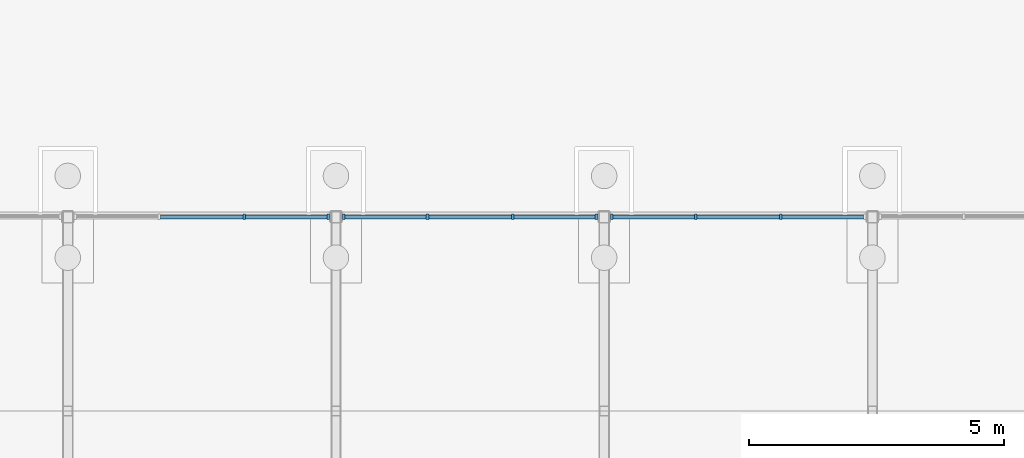
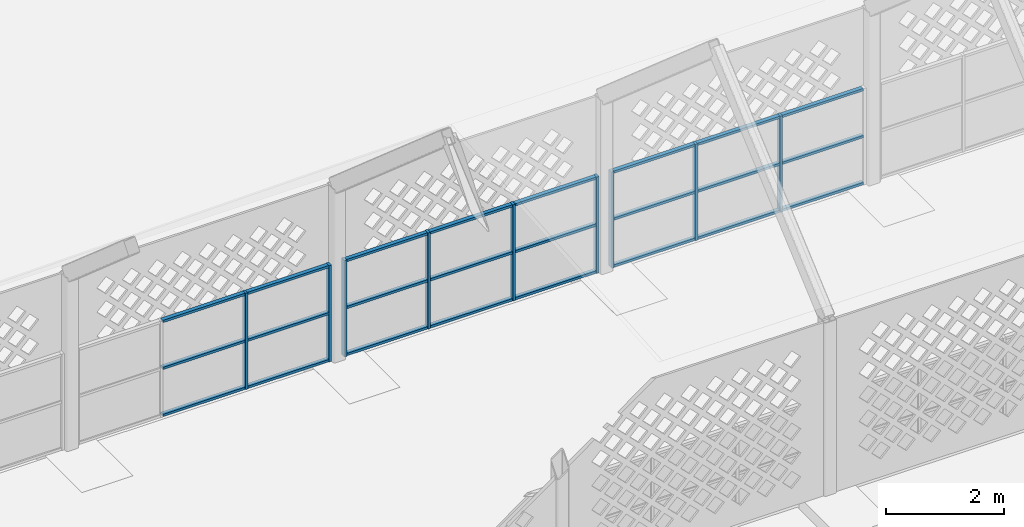
# One storey, part 27 of 79: 33 members, 3 elements without a shape of their own.
"""IFC4 building model written with IfcOpenShell, lengths in metres."""

import ifcopenshell
import ifcopenshell.guid

model = None  # the IFC model being written
_history = None  # IfcOwnerHistory: only IFC2X3 demands one
_inside = {}  # id of a spatial element -> (the spatial element, [elements in it])
_under = {}  # id of a project, library or spatial element -> (it, [spatial elements below it])
_declared = {}  # id of a project -> (the project, [libraries it declares])
_typed = {}  # id of a type object -> (the type object, [elements of that type])
_made_of = {}  # id of a material, layer set ... -> (it, [elements and type objects made of it])


def new_model(schema):
    """Start an empty IFC model of exactly this schema.

    Asked for "IFC4X3", IfcOpenShell would pick the latest addendum, in which some entities
    have other attributes; the version numbers below select the first issue.
    IFC2X3 requires an IfcOwnerHistory on every rooted entity: one is made here for all.
    """
    global model, _history
    if schema == "IFC4X3":
        model = ifcopenshell.file(schema_version=(4, 3, 0, 0))
    else:
        model = ifcopenshell.file(schema=schema)
    _inside.clear()
    _under.clear()
    _declared.clear()
    _typed.clear()
    _made_of.clear()
    _history = None
    if model.schema == "IFC2X3":
        org = make("IfcOrganization", Name="unknown")
        user = make(
            "IfcPersonAndOrganization",
            ThePerson=make("IfcPerson", FamilyName="unknown"),
            TheOrganization=org,
        )
        app = make(
            "IfcApplication",
            ApplicationDeveloper=org,
            Version="unknown",
            ApplicationFullName="unknown",
            ApplicationIdentifier="unknown",
        )
        _history = make(
            "IfcOwnerHistory",
            OwningUser=user,
            OwningApplication=app,
            ChangeAction="ADDED",
            CreationDate=0,
        )
    return model


def make(cls, **values):
    """One entity of the class cls with the attributes given. An attribute that is None is left unset."""
    return model.create_entity(
        cls, **{name: value for name, value in values.items() if value is not None}
    )


def rooted(cls, **values):
    """An entity with a GlobalId (a new one), such as an element, a storey or a relation."""
    return make(cls, GlobalId=ifcopenshell.guid.new(), OwnerHistory=_history, **values)


def si_unit(unit_type, name, prefix=None):
    """IfcSIUnit, for example si_unit("LENGTHUNIT", "METRE", prefix="MILLI")."""
    return make("IfcSIUnit", UnitType=unit_type, Prefix=prefix, Name=name)


def assignment(units):
    """IfcUnitAssignment: the units of a project."""
    return None if units is None else make("IfcUnitAssignment", Units=units)


def point(xyz):
    """IfcCartesianPoint."""
    return None if xyz is None else make("IfcCartesianPoint", Coordinates=xyz)


def direction(xyz):
    """IfcDirection."""
    return None if xyz is None else make("IfcDirection", DirectionRatios=xyz)


def frame(location, z_axis=None, x_axis=None):
    """IfcAxis2Placement3D, a coordinate frame: its origin and axes. An axis left out is left unset."""
    return make(
        "IfcAxis2Placement3D",
        Location=point(location),
        Axis=direction(z_axis),
        RefDirection=direction(x_axis),
    )


def frame_2d(location, x_axis=None):
    """IfcAxis2Placement2D, a coordinate frame in the plane: its origin and x axis."""
    return make(
        "IfcAxis2Placement2D", Location=point(location), RefDirection=direction(x_axis)
    )


def origin():
    """The frame at (0, 0, 0) with its axes left unset."""
    return frame((0.0, 0.0, 0.0))


def origin_2d():
    """The frame at (0, 0) in the plane with its x axis left unset."""
    return frame_2d((0.0, 0.0))


def place(relative_to, where):
    """IfcLocalPlacement: puts the frame where relative to a parent placement (None: the world)."""
    return make(
        "IfcLocalPlacement", PlacementRelTo=relative_to, RelativePlacement=where
    )


def context(
    kind, dimensions, precision=None, world=None, true_north=None, identifier=None
):
    """IfcGeometricRepresentationContext, for example the 3D "Model" context."""
    return make(
        "IfcGeometricRepresentationContext",
        ContextIdentifier=identifier,
        ContextType=kind,
        CoordinateSpaceDimension=dimensions,
        Precision=precision,
        WorldCoordinateSystem=world,
        TrueNorth=true_north,
    )


def subcontext(parent, identifier, kind, view, scale=None):
    """IfcGeometricRepresentationSubContext, for example "Body" below "Model"."""
    return make(
        "IfcGeometricRepresentationSubContext",
        ContextIdentifier=identifier,
        ContextType=kind,
        ParentContext=parent,
        TargetScale=scale,
        TargetView=view,
    )


def project(units=None, contexts=None):
    """IfcProject with its units and contexts."""
    return rooted(
        "IfcProject",
        Name="project",
        RepresentationContexts=contexts,
        UnitsInContext=assignment(units),
    )


def spatial(cls, under=None, at=None, **own):
    """A site, building, storey or space (cls), placed at a placement, below another one or the project."""
    s = rooted(cls, ObjectPlacement=at, **own)
    if under is not None:
        _under.setdefault(under.id(), (under, []))[1].append(s)
    return s


def profile(cls, at=None, kind="AREA", **sizes):
    """A parametric profile (cls). Its sizes go by their IFC names, for example OverallWidth=200.0."""
    return make(cls, ProfileType=kind, Position=at, **sizes)


def rectangle(**sizes):
    """IfcRectangleProfileDef."""
    return profile("IfcRectangleProfileDef", **sizes)


def extrude(swept, where, along, depth):
    """IfcExtrudedAreaSolid: the profile swept, set in the frame where, extruded along a direction by depth."""
    return make(
        "IfcExtrudedAreaSolid",
        SweptArea=swept,
        Position=where,
        ExtrudedDirection=direction(along),
        Depth=depth,
    )


def shape(context_of_items, identifier, shape_type, items):
    """IfcShapeRepresentation: the items that make up one representation, for example the "Body"."""
    return make(
        "IfcShapeRepresentation",
        ContextOfItems=context_of_items,
        RepresentationIdentifier=identifier,
        RepresentationType=shape_type,
        Items=items,
    )


def material(Name=None, Category=None):
    """IfcMaterial."""
    return make("IfcMaterial", Name=Name, Category=Category)


def layer(
    of_material, thickness, ventilated=None, Name=None, Category=None, Priority=None
):
    """IfcMaterialLayer: one layer of a wall or slab, of a material (None: an air gap)."""
    return make(
        "IfcMaterialLayer",
        Material=of_material,
        LayerThickness=thickness,
        IsVentilated=ventilated,
        Name=Name,
        Category=Category,
        Priority=Priority,
    )


def layer_set(layers, Name=None):
    """IfcMaterialLayerSet."""
    return make("IfcMaterialLayerSet", MaterialLayers=layers, LayerSetName=Name)


def material_profile(
    of_material, cross_section, Name=None, Category=None, Priority=None
):
    """IfcMaterialProfile: a cross section and its material."""
    return make(
        "IfcMaterialProfile",
        Name=Name,
        Material=of_material,
        Profile=cross_section,
        Priority=Priority,
        Category=Category,
    )


def profile_set(profiles, Name=None, composite=None):
    """IfcMaterialProfileSet."""
    return make(
        "IfcMaterialProfileSet",
        Name=Name,
        MaterialProfiles=profiles,
        CompositeProfile=composite,
    )


def made_of(thing, what):
    """Note that an element or type object is made of a material, layer set ...; save() writes the relation."""
    if what is not None:
        _made_of.setdefault(what.id(), (what, []))[1].append(thing)
    return thing


def type_object(cls, material=None, **own):
    """A type object (cls), such as IfcWallType, which elements share."""
    return made_of(rooted(cls, **own), material)


def element(
    cls,
    number,
    at=None,
    inside=None,
    cuts=None,
    type_object=None,
    material=None,
    context=None,
    identifier="Body",
    shape_type=None,
    held_by="IfcProductDefinitionShape",
    body=None,
    shapes=None,
    **own,
):
    """One element of the class cls, such as IfcWall. Its Tag is "e" and its number.

    at: its placement. inside: the storey or other place that contains it. cuts: it is an
    opening in that element (IfcRelVoidsElement). A single representation is given by context,
    identifier, shape_type and body (its items); several are given by shapes. held_by: the class
    of the entity that holds the representations. save() writes the other relations.
    """
    e = rooted(cls, Tag="e%d" % number, ObjectPlacement=at, **own)
    if body is not None:
        shapes = [shape(context, identifier, shape_type, body)]
    if shapes is not None:
        e.Representation = make(held_by, Representations=shapes)
    if inside is not None:
        _inside.setdefault(inside.id(), (inside, []))[1].append(e)
    if cuts is not None:
        rooted(
            "IfcRelVoidsElement", RelatingBuildingElement=cuts, RelatedOpeningElement=e
        )
    if type_object is not None:
        _typed.setdefault(type_object.id(), (type_object, []))[1].append(e)
    return made_of(e, material)


def aggregate(whole, parts):
    """IfcRelAggregates: a whole, such as a stair, and the parts it consists of."""
    return rooted("IfcRelAggregates", RelatingObject=whole, RelatedObjects=parts)


def save(model, path):
    """Write the relations noted so far, then the file.

    IfcRelAggregates (storeys below a building ...), IfcRelContainedInSpatialStructure (elements
    in a storey), IfcRelDefinesByType, IfcRelAssociatesMaterial and IfcRelDeclares: one each for
    every whole, place, type object, material and project.
    """
    for whole, parts in _under.values():
        aggregate(whole, parts)
    for where, things in _inside.values():
        rooted(
            "IfcRelContainedInSpatialStructure",
            RelatedElements=things,
            RelatingStructure=where,
        )
    for kind, things in _typed.values():
        rooted("IfcRelDefinesByType", RelatedObjects=things, RelatingType=kind)
    for what, things in _made_of.values():
        rooted("IfcRelAssociatesMaterial", RelatedObjects=things, RelatingMaterial=what)
    for by, libraries in _declared.values():
        rooted("IfcRelDeclares", RelatingContext=by, RelatedDefinitions=libraries)
    model.write(path)


model = new_model("IFC4")

# Units and contexts
model_context = context("Model", 3, precision=1e-05, world=origin(), true_north=direction((0.0, 1.0)))
body_context = subcontext(model_context, "Body", "Model", "MODEL_VIEW")
ifc_project = project(units=[si_unit("LENGTHUNIT", "METRE"), si_unit("AREAUNIT", "SQUARE_METRE"), si_unit("VOLUMEUNIT", "CUBIC_METRE"), si_unit("PLANEANGLEUNIT", "RADIAN"), si_unit("MASSUNIT", "GRAM", prefix="KILO")], contexts=[model_context])

# Site, building, storey
site_placement = place(None, origin())
site = spatial("IfcSite", under=ifc_project, at=site_placement, CompositionType="ELEMENT")
building_placement = place(site_placement, origin())
building = spatial("IfcBuilding", under=site, at=building_placement, Name="Noorbagh Ring Tower", CompositionType="ELEMENT")
storey_placement = place(building_placement, origin())
storey = spatial("IfcBuildingStorey", under=building, at=storey_placement, Name="L00", CompositionType="ELEMENT", Elevation=0.0)

# Curtain wall, members
ifc_material_1 = material(Name="Aluminium and glass", Category="aluminium")
ifc_layer = layer(ifc_material_1, 0.10009765625)
ifc_layer_set = layer_set([ifc_layer], Name="Aluminium and glass")
curtain_wall_type = type_object("IfcCurtainWallType", Name="AR-CW", PredefinedType="NOTDEFINED", material=ifc_layer_set)
curtain_wall_1_placement = place(storey_placement, origin())
curtain_wall_1 = element("IfcCurtainWall", 1, at=curtain_wall_1_placement, inside=storey, type_object=curtain_wall_type, Name="Arcade glazing", PredefinedType="NOTDEFINED")
ifc_material_2 = material(Name="Aluminium", Category="aluminium")
ifc_material_profile_1 = material_profile(ifc_material_2, rectangle(XDim=0.10009765625, YDim=0.050048828125, at=origin_2d()), Name="AL 100x50")
ifc_profile_set_1 = profile_set([ifc_material_profile_1], Name="Aluminium")
member_type_1 = type_object("IfcMemberType", Name="AR-CW-MULLION", PredefinedType="MULLION", material=ifc_profile_set_1)
member_1_placement = place(storey_placement, frame((-75.291748046875, 8.800048828125, 0.0), z_axis=(0.0, 0.0, 1.0), x_axis=(0.0, 1.0, 0.0)))
member_1 = element("IfcMember", 2, at=member_1_placement, type_object=member_type_1, Name="CW-A mullion 3", PredefinedType="MULLION", context=body_context, shape_type="SweptSolid", body=[
    extrude(rectangle(XDim=0.10009765625, YDim=0.050048828125, at=origin_2d()), origin(), (0.0, 0.0, 1.0), 2.0),
])
member_2_placement = place(storey_placement, frame((-73.64990234375, 8.800048828125, 0.0), z_axis=(0.0, 0.0, 1.0), x_axis=(0.0, 1.0, 0.0)))
member_2 = element("IfcMember", 3, at=member_2_placement, type_object=member_type_1, Name="CW-A mullion 4", PredefinedType="MULLION", context=body_context, shape_type="SweptSolid", body=[
    extrude(rectangle(XDim=0.10009765625, YDim=0.050048828125, at=origin_2d()), origin(), (0.0, 0.0, 1.0), 2.0),
])

curtain_wall_2_placement = place(storey_placement, origin())
curtain_wall_2 = element("IfcCurtainWall", 4, at=curtain_wall_2_placement, inside=storey, type_object=curtain_wall_type, Name="Arcade glazing", PredefinedType="NOTDEFINED")
member_3_placement = place(storey_placement, frame((-73.35009765625, 8.800048828125, 0.0), z_axis=(0.0, 0.0, 1.0), x_axis=(0.0, 1.0, 0.0)))
member_3 = element("IfcMember", 5, at=member_3_placement, type_object=member_type_1, Name="CW-A mullion 1", PredefinedType="MULLION", context=body_context, shape_type="SweptSolid", body=[
    extrude(rectangle(XDim=0.10009765625, YDim=0.050048828125, at=origin_2d()), origin(), (0.0, 0.0, 1.0), 2.0),
])
member_4_placement = place(storey_placement, frame((-71.708251953125, 8.800048828125, 0.0), z_axis=(0.0, 0.0, 1.0), x_axis=(0.0, 1.0, 0.0)))
member_4 = element("IfcMember", 6, at=member_4_placement, type_object=member_type_1, Name="CW-A mullion 2", PredefinedType="MULLION", context=body_context, shape_type="SweptSolid", body=[
    extrude(rectangle(XDim=0.10009765625, YDim=0.050048828125, at=origin_2d()), origin(), (0.0, 0.0, 1.0), 2.0),
])
member_5_placement = place(storey_placement, frame((-70.041748046875, 8.800048828125, 0.0), z_axis=(0.0, 0.0, 1.0), x_axis=(0.0, 1.0, 0.0)))
member_5 = element("IfcMember", 7, at=member_5_placement, type_object=member_type_1, Name="CW-A mullion 3", PredefinedType="MULLION", context=body_context, shape_type="SweptSolid", body=[
    extrude(rectangle(XDim=0.10009765625, YDim=0.050048828125, at=origin_2d()), origin(), (0.0, 0.0, 1.0), 2.0),
])
member_6_placement = place(storey_placement, frame((-68.39990234375, 8.800048828125, 0.0), z_axis=(0.0, 0.0, 1.0), x_axis=(0.0, 1.0, 0.0)))
member_6 = element("IfcMember", 8, at=member_6_placement, type_object=member_type_1, Name="CW-A mullion 4", PredefinedType="MULLION", context=body_context, shape_type="SweptSolid", body=[
    extrude(rectangle(XDim=0.10009765625, YDim=0.050048828125, at=origin_2d()), origin(), (0.0, 0.0, 1.0), 2.0),
])

curtain_wall_3_placement = place(storey_placement, origin())
curtain_wall_3 = element("IfcCurtainWall", 9, at=curtain_wall_3_placement, inside=storey, type_object=curtain_wall_type, Name="Arcade glazing", PredefinedType="NOTDEFINED")
member_7_placement = place(storey_placement, frame((-68.10009765625, 8.800048828125, 0.0), z_axis=(0.0, 0.0, 1.0), x_axis=(0.0, 1.0, 0.0)))
member_7 = element("IfcMember", 10, at=member_7_placement, type_object=member_type_1, Name="CW-A mullion 1", PredefinedType="MULLION", context=body_context, shape_type="SweptSolid", body=[
    extrude(rectangle(XDim=0.10009765625, YDim=0.050048828125, at=origin_2d()), origin(), (0.0, 0.0, 1.0), 2.0),
])
member_8_placement = place(storey_placement, frame((-66.458251953125, 8.800048828125, 0.0), z_axis=(0.0, 0.0, 1.0), x_axis=(0.0, 1.0, 0.0)))
member_8 = element("IfcMember", 11, at=member_8_placement, type_object=member_type_1, Name="CW-A mullion 2", PredefinedType="MULLION", context=body_context, shape_type="SweptSolid", body=[
    extrude(rectangle(XDim=0.10009765625, YDim=0.050048828125, at=origin_2d()), origin(), (0.0, 0.0, 1.0), 2.0),
])
member_9_placement = place(storey_placement, frame((-64.791748046875, 8.800048828125, 0.0), z_axis=(0.0, 0.0, 1.0), x_axis=(0.0, 1.0, 0.0)))
member_9 = element("IfcMember", 12, at=member_9_placement, type_object=member_type_1, Name="CW-A mullion 3", PredefinedType="MULLION", context=body_context, shape_type="SweptSolid", body=[
    extrude(rectangle(XDim=0.10009765625, YDim=0.050048828125, at=origin_2d()), origin(), (0.0, 0.0, 1.0), 2.0),
])

# Member
ifc_material_3 = material(Name="Aluminium", Category="aluminium")
ifc_material_profile_2 = material_profile(ifc_material_3, rectangle(XDim=0.080078125, YDim=0.050048828125, at=origin_2d()), Name="AL 80x50")
ifc_profile_set_2 = profile_set([ifc_material_profile_2], Name="Aluminium")
member_type_2 = type_object("IfcMemberType", Name="AR-CW-TRANSOM", PredefinedType="USERDEFINED", material=ifc_profile_set_2)
member_10_placement = place(storey_placement, frame((-76.933349609375, 8.800048828125, 0.02490234375), z_axis=(1.0, 0.0, 0.0), x_axis=(0.0, 1.0, 0.0)))
member_10 = element("IfcMember", 13, at=member_10_placement, type_object=member_type_2, Name="CW-A transom 2.1", ObjectType="TRANSOM", PredefinedType="USERDEFINED", context=body_context, shape_type="SweptSolid", body=[
    extrude(rectangle(XDim=0.080078125, YDim=0.050048828125, at=origin_2d()), origin(), (0.0, 0.0, 1.0), 1.61669921875),
])

member_11_placement = place(storey_placement, frame((-76.933349609375, 8.800048828125, 1.0), z_axis=(1.0, 0.0, 0.0), x_axis=(0.0, 1.0, 0.0)))
member_11 = element("IfcMember", 14, at=member_11_placement, type_object=member_type_2, Name="CW-A transom 2.2", ObjectType="TRANSOM", PredefinedType="USERDEFINED", context=body_context, shape_type="SweptSolid", body=[
    extrude(rectangle(XDim=0.080078125, YDim=0.050048828125, at=origin_2d()), origin(), (0.0, 0.0, 1.0), 1.61669921875),
])

member_12_placement = place(storey_placement, frame((-76.933349609375, 8.800048828125, 1.97509765625), z_axis=(1.0, 0.0, 0.0), x_axis=(0.0, 1.0, 0.0)))
member_12 = element("IfcMember", 15, at=member_12_placement, type_object=member_type_2, Name="CW-A transom 2.3", ObjectType="TRANSOM", PredefinedType="USERDEFINED", context=body_context, shape_type="SweptSolid", body=[
    extrude(rectangle(XDim=0.080078125, YDim=0.050048828125, at=origin_2d()), origin(), (0.0, 0.0, 1.0), 1.61669921875),
])

member_13_placement = place(storey_placement, frame((-75.2666015625, 8.800048828125, 0.02490234375), z_axis=(1.0, 0.0, 0.0), x_axis=(0.0, 1.0, 0.0)))
member_13 = element("IfcMember", 16, at=member_13_placement, type_object=member_type_2, Name="CW-A transom 3.1", ObjectType="TRANSOM", PredefinedType="USERDEFINED", context=body_context, shape_type="SweptSolid", body=[
    extrude(rectangle(XDim=0.080078125, YDim=0.050048828125, at=origin_2d()), origin(), (0.0, 0.0, 1.0), 1.591552734375),
])

member_14_placement = place(storey_placement, frame((-75.2666015625, 8.800048828125, 1.0), z_axis=(1.0, 0.0, 0.0), x_axis=(0.0, 1.0, 0.0)))
member_14 = element("IfcMember", 17, at=member_14_placement, type_object=member_type_2, Name="CW-A transom 3.2", ObjectType="TRANSOM", PredefinedType="USERDEFINED", context=body_context, shape_type="SweptSolid", body=[
    extrude(rectangle(XDim=0.080078125, YDim=0.050048828125, at=origin_2d()), origin(), (0.0, 0.0, 1.0), 1.591552734375),
])

member_15_placement = place(storey_placement, frame((-75.2666015625, 8.800048828125, 1.97509765625), z_axis=(1.0, 0.0, 0.0), x_axis=(0.0, 1.0, 0.0)))
member_15 = element("IfcMember", 18, at=member_15_placement, type_object=member_type_2, Name="CW-A transom 3.3", ObjectType="TRANSOM", PredefinedType="USERDEFINED", context=body_context, shape_type="SweptSolid", body=[
    extrude(rectangle(XDim=0.080078125, YDim=0.050048828125, at=origin_2d()), origin(), (0.0, 0.0, 1.0), 1.591552734375),
])

aggregate(curtain_wall_1, [member_1, member_2, member_10, member_11, member_12, member_13, member_14, member_15])

member_16_placement = place(storey_placement, frame((-73.324951171875, 8.800048828125, 0.02490234375), z_axis=(1.0, 0.0, 0.0), x_axis=(0.0, 1.0, 0.0)))
member_16 = element("IfcMember", 19, at=member_16_placement, type_object=member_type_2, Name="CW-A transom 1.1", ObjectType="TRANSOM", PredefinedType="USERDEFINED", context=body_context, shape_type="SweptSolid", body=[
    extrude(rectangle(XDim=0.080078125, YDim=0.050048828125, at=origin_2d()), origin(), (0.0, 0.0, 1.0), 1.591552734375),
])

member_17_placement = place(storey_placement, frame((-73.324951171875, 8.800048828125, 1.0), z_axis=(1.0, 0.0, 0.0), x_axis=(0.0, 1.0, 0.0)))
member_17 = element("IfcMember", 20, at=member_17_placement, type_object=member_type_2, Name="CW-A transom 1.2", ObjectType="TRANSOM", PredefinedType="USERDEFINED", context=body_context, shape_type="SweptSolid", body=[
    extrude(rectangle(XDim=0.080078125, YDim=0.050048828125, at=origin_2d()), origin(), (0.0, 0.0, 1.0), 1.591552734375),
])

member_18_placement = place(storey_placement, frame((-73.324951171875, 8.800048828125, 1.97509765625), z_axis=(1.0, 0.0, 0.0), x_axis=(0.0, 1.0, 0.0)))
member_18 = element("IfcMember", 21, at=member_18_placement, type_object=member_type_2, Name="CW-A transom 1.3", ObjectType="TRANSOM", PredefinedType="USERDEFINED", context=body_context, shape_type="SweptSolid", body=[
    extrude(rectangle(XDim=0.080078125, YDim=0.050048828125, at=origin_2d()), origin(), (0.0, 0.0, 1.0), 1.591552734375),
])

member_19_placement = place(storey_placement, frame((-71.683349609375, 8.800048828125, 0.02490234375), z_axis=(1.0, 0.0, 0.0), x_axis=(0.0, 1.0, 0.0)))
member_19 = element("IfcMember", 22, at=member_19_placement, type_object=member_type_2, Name="CW-A transom 2.1", ObjectType="TRANSOM", PredefinedType="USERDEFINED", context=body_context, shape_type="SweptSolid", body=[
    extrude(rectangle(XDim=0.080078125, YDim=0.050048828125, at=origin_2d()), origin(), (0.0, 0.0, 1.0), 1.61669921875),
])

member_20_placement = place(storey_placement, frame((-71.683349609375, 8.800048828125, 1.0), z_axis=(1.0, 0.0, 0.0), x_axis=(0.0, 1.0, 0.0)))
member_20 = element("IfcMember", 23, at=member_20_placement, type_object=member_type_2, Name="CW-A transom 2.2", ObjectType="TRANSOM", PredefinedType="USERDEFINED", context=body_context, shape_type="SweptSolid", body=[
    extrude(rectangle(XDim=0.080078125, YDim=0.050048828125, at=origin_2d()), origin(), (0.0, 0.0, 1.0), 1.61669921875),
])

member_21_placement = place(storey_placement, frame((-71.683349609375, 8.800048828125, 1.97509765625), z_axis=(1.0, 0.0, 0.0), x_axis=(0.0, 1.0, 0.0)))
member_21 = element("IfcMember", 24, at=member_21_placement, type_object=member_type_2, Name="CW-A transom 2.3", ObjectType="TRANSOM", PredefinedType="USERDEFINED", context=body_context, shape_type="SweptSolid", body=[
    extrude(rectangle(XDim=0.080078125, YDim=0.050048828125, at=origin_2d()), origin(), (0.0, 0.0, 1.0), 1.61669921875),
])

member_22_placement = place(storey_placement, frame((-70.0166015625, 8.800048828125, 0.02490234375), z_axis=(1.0, 0.0, 0.0), x_axis=(0.0, 1.0, 0.0)))
member_22 = element("IfcMember", 25, at=member_22_placement, type_object=member_type_2, Name="CW-A transom 3.1", ObjectType="TRANSOM", PredefinedType="USERDEFINED", context=body_context, shape_type="SweptSolid", body=[
    extrude(rectangle(XDim=0.080078125, YDim=0.050048828125, at=origin_2d()), origin(), (0.0, 0.0, 1.0), 1.591552734375),
])

member_23_placement = place(storey_placement, frame((-70.0166015625, 8.800048828125, 1.0), z_axis=(1.0, 0.0, 0.0), x_axis=(0.0, 1.0, 0.0)))
member_23 = element("IfcMember", 26, at=member_23_placement, type_object=member_type_2, Name="CW-A transom 3.2", ObjectType="TRANSOM", PredefinedType="USERDEFINED", context=body_context, shape_type="SweptSolid", body=[
    extrude(rectangle(XDim=0.080078125, YDim=0.050048828125, at=origin_2d()), origin(), (0.0, 0.0, 1.0), 1.591552734375),
])

member_24_placement = place(storey_placement, frame((-70.0166015625, 8.800048828125, 1.97509765625), z_axis=(1.0, 0.0, 0.0), x_axis=(0.0, 1.0, 0.0)))
member_24 = element("IfcMember", 27, at=member_24_placement, type_object=member_type_2, Name="CW-A transom 3.3", ObjectType="TRANSOM", PredefinedType="USERDEFINED", context=body_context, shape_type="SweptSolid", body=[
    extrude(rectangle(XDim=0.080078125, YDim=0.050048828125, at=origin_2d()), origin(), (0.0, 0.0, 1.0), 1.591552734375),
])

aggregate(curtain_wall_2, [member_3, member_4, member_5, member_6, member_16, member_17, member_18, member_19, member_20, member_21, member_22, member_23, member_24])

member_25_placement = place(storey_placement, frame((-68.074951171875, 8.800048828125, 0.02490234375), z_axis=(1.0, 0.0, 0.0), x_axis=(0.0, 1.0, 0.0)))
member_25 = element("IfcMember", 28, at=member_25_placement, type_object=member_type_2, Name="CW-A transom 1.1", ObjectType="TRANSOM", PredefinedType="USERDEFINED", context=body_context, shape_type="SweptSolid", body=[
    extrude(rectangle(XDim=0.080078125, YDim=0.050048828125, at=origin_2d()), origin(), (0.0, 0.0, 1.0), 1.591552734375),
])

member_26_placement = place(storey_placement, frame((-68.074951171875, 8.800048828125, 1.0), z_axis=(1.0, 0.0, 0.0), x_axis=(0.0, 1.0, 0.0)))
member_26 = element("IfcMember", 29, at=member_26_placement, type_object=member_type_2, Name="CW-A transom 1.2", ObjectType="TRANSOM", PredefinedType="USERDEFINED", context=body_context, shape_type="SweptSolid", body=[
    extrude(rectangle(XDim=0.080078125, YDim=0.050048828125, at=origin_2d()), origin(), (0.0, 0.0, 1.0), 1.591552734375),
])

member_27_placement = place(storey_placement, frame((-68.074951171875, 8.800048828125, 1.97509765625), z_axis=(1.0, 0.0, 0.0), x_axis=(0.0, 1.0, 0.0)))
member_27 = element("IfcMember", 30, at=member_27_placement, type_object=member_type_2, Name="CW-A transom 1.3", ObjectType="TRANSOM", PredefinedType="USERDEFINED", context=body_context, shape_type="SweptSolid", body=[
    extrude(rectangle(XDim=0.080078125, YDim=0.050048828125, at=origin_2d()), origin(), (0.0, 0.0, 1.0), 1.591552734375),
])

member_28_placement = place(storey_placement, frame((-66.433349609375, 8.800048828125, 0.02490234375), z_axis=(1.0, 0.0, 0.0), x_axis=(0.0, 1.0, 0.0)))
member_28 = element("IfcMember", 31, at=member_28_placement, type_object=member_type_2, Name="CW-A transom 2.1", ObjectType="TRANSOM", PredefinedType="USERDEFINED", context=body_context, shape_type="SweptSolid", body=[
    extrude(rectangle(XDim=0.080078125, YDim=0.050048828125, at=origin_2d()), origin(), (0.0, 0.0, 1.0), 1.61669921875),
])

member_29_placement = place(storey_placement, frame((-66.433349609375, 8.800048828125, 1.0), z_axis=(1.0, 0.0, 0.0), x_axis=(0.0, 1.0, 0.0)))
member_29 = element("IfcMember", 32, at=member_29_placement, type_object=member_type_2, Name="CW-A transom 2.2", ObjectType="TRANSOM", PredefinedType="USERDEFINED", context=body_context, shape_type="SweptSolid", body=[
    extrude(rectangle(XDim=0.080078125, YDim=0.050048828125, at=origin_2d()), origin(), (0.0, 0.0, 1.0), 1.61669921875),
])

member_30_placement = place(storey_placement, frame((-66.433349609375, 8.800048828125, 1.97509765625), z_axis=(1.0, 0.0, 0.0), x_axis=(0.0, 1.0, 0.0)))
member_30 = element("IfcMember", 33, at=member_30_placement, type_object=member_type_2, Name="CW-A transom 2.3", ObjectType="TRANSOM", PredefinedType="USERDEFINED", context=body_context, shape_type="SweptSolid", body=[
    extrude(rectangle(XDim=0.080078125, YDim=0.050048828125, at=origin_2d()), origin(), (0.0, 0.0, 1.0), 1.61669921875),
])

member_31_placement = place(storey_placement, frame((-64.7666015625, 8.800048828125, 0.02490234375), z_axis=(1.0, 0.0, 0.0), x_axis=(0.0, 1.0, 0.0)))
member_31 = element("IfcMember", 34, at=member_31_placement, type_object=member_type_2, Name="CW-A transom 3.1", ObjectType="TRANSOM", PredefinedType="USERDEFINED", context=body_context, shape_type="SweptSolid", body=[
    extrude(rectangle(XDim=0.080078125, YDim=0.050048828125, at=origin_2d()), origin(), (0.0, 0.0, 1.0), 1.591552734375),
])

member_32_placement = place(storey_placement, frame((-64.7666015625, 8.800048828125, 1.0), z_axis=(1.0, 0.0, 0.0), x_axis=(0.0, 1.0, 0.0)))
member_32 = element("IfcMember", 35, at=member_32_placement, type_object=member_type_2, Name="CW-A transom 3.2", ObjectType="TRANSOM", PredefinedType="USERDEFINED", context=body_context, shape_type="SweptSolid", body=[
    extrude(rectangle(XDim=0.080078125, YDim=0.050048828125, at=origin_2d()), origin(), (0.0, 0.0, 1.0), 1.591552734375),
])

member_33_placement = place(storey_placement, frame((-64.7666015625, 8.800048828125, 1.97509765625), z_axis=(1.0, 0.0, 0.0), x_axis=(0.0, 1.0, 0.0)))
member_33 = element("IfcMember", 36, at=member_33_placement, type_object=member_type_2, Name="CW-A transom 3.3", ObjectType="TRANSOM", PredefinedType="USERDEFINED", context=body_context, shape_type="SweptSolid", body=[
    extrude(rectangle(XDim=0.080078125, YDim=0.050048828125, at=origin_2d()), origin(), (0.0, 0.0, 1.0), 1.591552734375),
])

aggregate(curtain_wall_3, [member_7, member_8, member_9, member_25, member_26, member_27, member_28, member_29, member_30, member_31, member_32, member_33])

save(model, "model.ifc")
